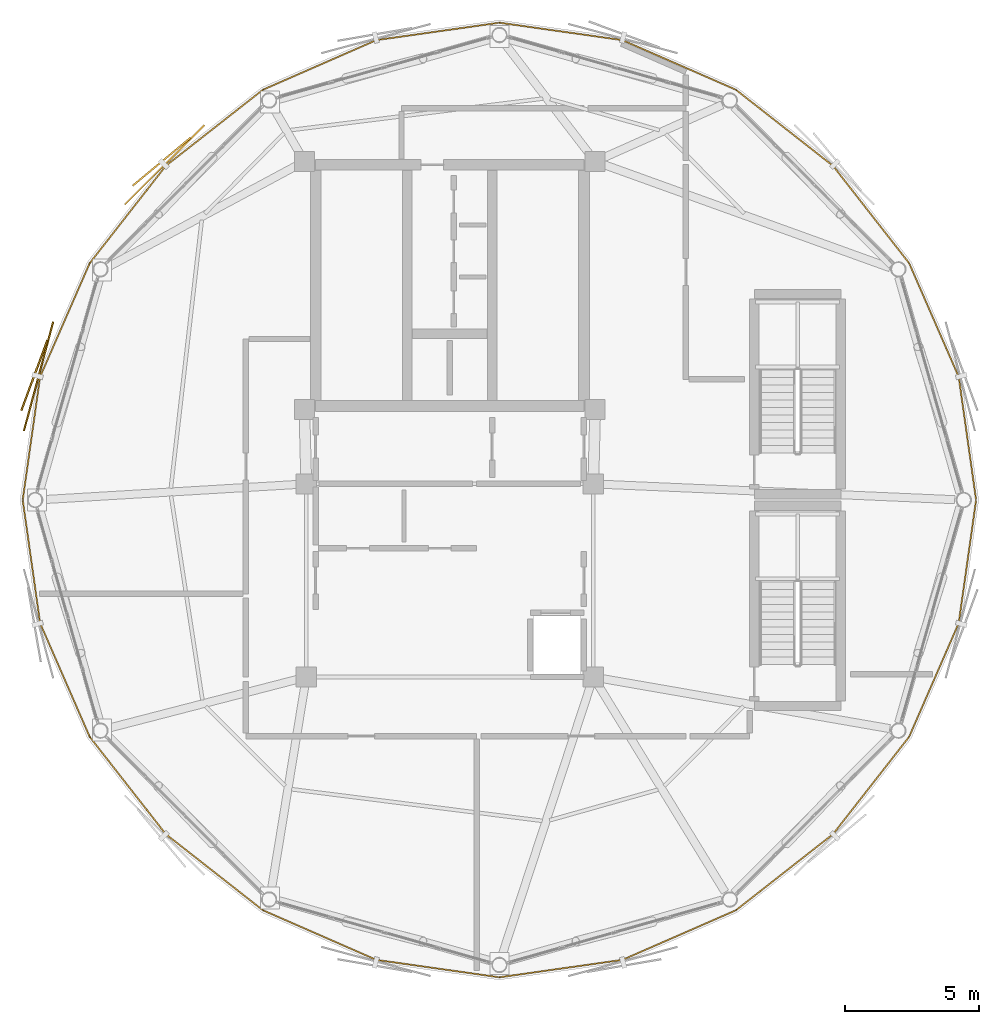
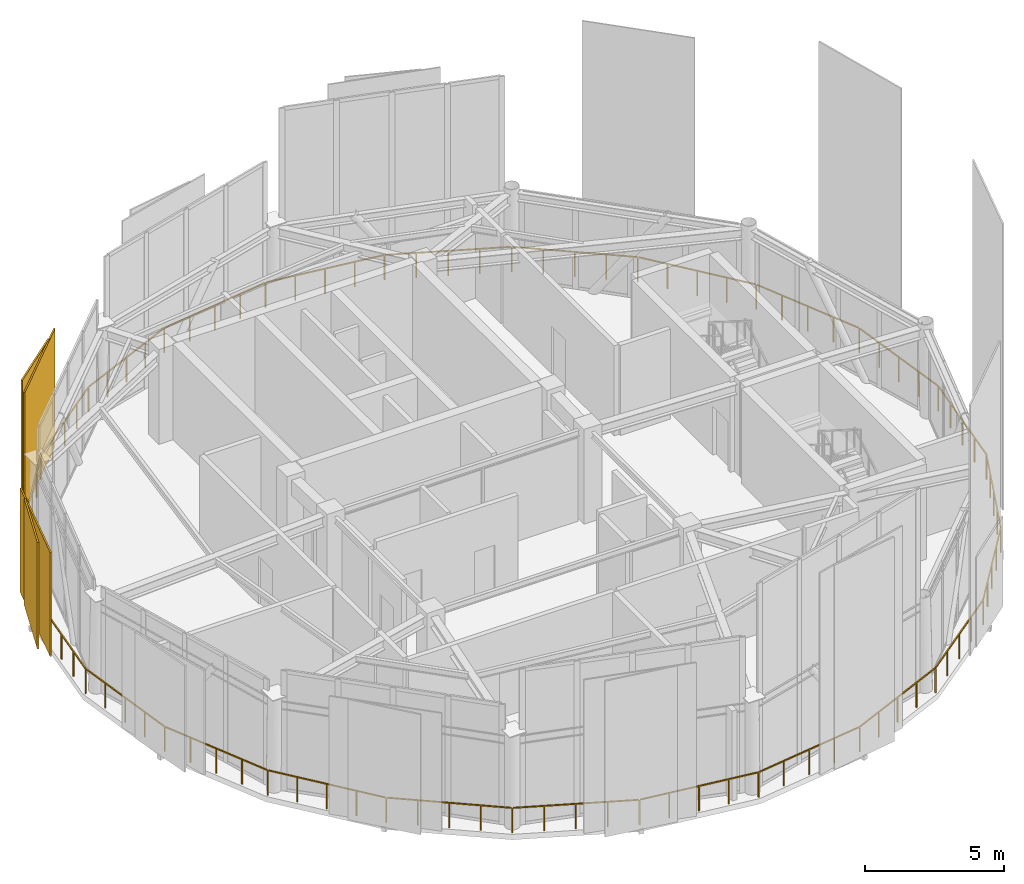
# One storey, part 19 of 20: 2 coverings, 2 shading devices, 1 railing.
"""IFC4 building model written with IfcOpenShell, lengths in metres."""

from ifc_helpers import new_model, si_unit, direction, frame, origin, origin_2d, place, context, subcontext, project, spatial, rectangle, extrude, source, transform, mapped, material, layer, layer_set, type_object, type_shapes, element, save


model = new_model("IFC4")

# Units and contexts
model_context = context("Model", 3, precision=1e-05, world=origin(), true_north=direction((0.0, 1.0)))
body_context = subcontext(model_context, "Body", "Model", "MODEL_VIEW")
ifc_project = project(units=[si_unit("LENGTHUNIT", "METRE"), si_unit("AREAUNIT", "SQUARE_METRE"), si_unit("VOLUMEUNIT", "CUBIC_METRE"), si_unit("PLANEANGLEUNIT", "RADIAN"), si_unit("MASSUNIT", "GRAM", prefix="KILO")], contexts=[model_context])

# Site, building, storey
site_placement = place(None, origin())
site = spatial("IfcSite", under=ifc_project, at=site_placement, CompositionType="ELEMENT")
building_placement = place(site_placement, origin())
building = spatial("IfcBuilding", under=site, at=building_placement, Name="Varnakorn Sky Granary", CompositionType="ELEMENT")
storey_placement = place(building_placement, frame((0.0, 0.0, 310.800048828125)))
storey = spatial("IfcBuildingStorey", under=building, at=storey_placement, Name="L79", CompositionType="ELEMENT", Elevation=310.800048828125)

# Railing
ifc_material = material(Name="Anodised Bronze Aluminium Alloy 6063-T6", Category="aluminium")
railing_type = type_object("IfcRailingType", Name="RL-BAL-1120", PredefinedType="BALUSTRADE", material=ifc_material)
railing_placement = place(storey_placement, frame((22.6201171875, 0.0, 0.0)))
element("IfcRailing", 1, at=railing_placement, inside=storey, type_object=railing_type, Name="Perimeter Slab-Edge Safety Guard L79", PredefinedType="BALUSTRADE", context=body_context, shape_type="SweptSolid", body=[
    extrude(rectangle(XDim=0.048095703125, YDim=0.048095703125, at=origin_2d()), frame((-0.00390625, -0.02783203125, 1.09619140625), z_axis=(-0.139880759348, -0.99016835597, 0.0), x_axis=(0.99016835597, -0.139880759348, 0.0)), (0.0, 0.0, 1.0), 4.581298828125),
    extrude(rectangle(XDim=0.048095703125, YDim=0.048095703125, at=origin_2d()), frame((-0.659912109375, -4.617431640625, 1.09619140625), z_axis=(-0.399923476469, -0.916548532795, 0.0), x_axis=(0.916548532795, -0.399923476469, 0.0)), (0.0, 0.0, 1.0), 4.565185546875),
    extrude(rectangle(XDim=0.048095703125, YDim=0.048095703125, at=origin_2d()), frame((-2.51416015625, -8.849365234375, 1.09619140625), z_axis=(-0.615917776973, -0.787810441673, 0.0), x_axis=(0.787810441673, -0.615917776973, 0.0)), (0.0, 0.0, 1.0), 4.547119140625),
    extrude(rectangle(XDim=0.048095703125, YDim=0.048095703125, at=origin_2d()), frame((-5.35400390625, -12.47119140625, 1.09619140625), z_axis=(-0.787067054118, -0.616867451178, 0.0), x_axis=(0.616867451178, -0.787067054118, 0.0)), (0.0, 0.0, 1.0), 4.545654296875),
    extrude(rectangle(XDim=0.048095703125, YDim=0.048095703125, at=origin_2d()), frame((-8.9794921875, -15.3037109375, 1.09619140625), z_axis=(-0.91620708463, -0.400705101133, 0.0), x_axis=(0.400705101133, -0.91620708463, 0.0)), (0.0, 0.0, 1.0), 4.56103515625),
    extrude(rectangle(XDim=0.048095703125, YDim=0.048095703125, at=origin_2d()), frame((-13.2119140625, -17.146484375, 1.09619140625), z_axis=(-0.990121645652, -0.140211008168, 0.0), x_axis=(0.140211008168, -0.990121645652, 0.0)), (0.0, 0.0, 1.0), 4.57568359375),
    extrude(rectangle(XDim=0.048095703125, YDim=0.048095703125, at=origin_2d()), frame((-17.7978515625, -17.7880859375, 1.09619140625), z_axis=(-0.990122681821, 0.140203690905, 0.0), x_axis=(-0.140203690905, -0.990122681821, 0.0)), (0.0, 0.0, 1.0), 4.575927734375),
    extrude(rectangle(XDim=0.048095703125, YDim=0.048095703125, at=origin_2d()), frame((-22.3818359375, -17.13134765625, 1.09619140625), z_axis=(-0.91620708463, 0.400705101133, 0.0), x_axis=(-0.400705101133, -0.91620708463, 0.0)), (0.0, 0.0, 1.0), 4.56103515625),
    extrude(rectangle(XDim=0.048095703125, YDim=0.048095703125, at=origin_2d()), frame((-26.6083984375, -15.275146484375, 1.09619140625), z_axis=(-0.787067054118, 0.616867451178, 0.0), x_axis=(-0.616867451178, -0.787067054118, 0.0)), (0.0, 0.0, 1.0), 4.545654296875),
    extrude(rectangle(XDim=0.048095703125, YDim=0.048095703125, at=origin_2d()), frame((-30.2255859375, -12.431884765625, 1.09619140625), z_axis=(-0.615884858244, 0.787836176744, 0.0), x_axis=(-0.787836176744, -0.615884858244, 0.0)), (0.0, 0.0, 1.0), 4.547119140625),
    extrude(rectangle(XDim=0.048095703125, YDim=0.048095703125, at=origin_2d()), frame((-33.054443359375, -8.8017578125, 1.09619140625), z_axis=(-0.399967855538, 0.916529167313, 0.0), x_axis=(-0.916529167313, -0.399967855538, 0.0)), (0.0, 0.0, 1.0), 4.5654296875),
    extrude(rectangle(XDim=0.048095703125, YDim=0.048095703125, at=origin_2d()), frame((-34.8955078125, -4.56396484375, 1.09619140625), z_axis=(-0.139829142758, 0.990175646457, 0.0), x_axis=(-0.990175646457, -0.139829142758, 0.0)), (0.0, 0.0, 1.0), 4.581298828125),
    extrude(rectangle(XDim=0.048095703125, YDim=0.048095703125, at=origin_2d()), frame((-35.5361328125, 0.02783203125, 1.09619140625), z_axis=(0.139829142758, 0.990175646457, 0.0), x_axis=(-0.990175646457, 0.139829142758, 0.0)), (0.0, 0.0, 1.0), 4.581298828125),
    extrude(rectangle(XDim=0.048095703125, YDim=0.048095703125, at=origin_2d()), frame((-34.88037109375, 4.617431640625, 1.09619140625), z_axis=(0.399967855538, 0.916529167313, 0.0), x_axis=(-0.916529167313, 0.399967855538, 0.0)), (0.0, 0.0, 1.0), 4.5654296875),
    extrude(rectangle(XDim=0.048095703125, YDim=0.048095703125, at=origin_2d()), frame((-33.02587890625, 8.849365234375, 1.09619140625), z_axis=(0.615884858244, 0.787836176744, 0.0), x_axis=(-0.787836176744, 0.615884858244, 0.0)), (0.0, 0.0, 1.0), 4.547119140625),
    extrude(rectangle(XDim=0.048095703125, YDim=0.048095703125, at=origin_2d()), frame((-30.186279296875, 12.47119140625, 1.09619140625), z_axis=(0.787067054118, 0.616867451178, 0.0), x_axis=(-0.616867451178, 0.787067054118, 0.0)), (0.0, 0.0, 1.0), 4.545654296875),
    extrude(rectangle(XDim=0.048095703125, YDim=0.048095703125, at=origin_2d()), frame((-26.560791015625, 15.3037109375, 1.09619140625), z_axis=(0.91620708463, 0.400705101133, 0.0), x_axis=(-0.400705101133, 0.91620708463, 0.0)), (0.0, 0.0, 1.0), 4.56103515625),
    extrude(rectangle(XDim=0.048095703125, YDim=0.048095703125, at=origin_2d()), frame((-22.328369140625, 17.146484375, 1.09619140625), z_axis=(0.990122681821, 0.140203690905, 0.0), x_axis=(-0.140203690905, 0.990122681821, 0.0)), (0.0, 0.0, 1.0), 4.575927734375),
    extrude(rectangle(XDim=0.048095703125, YDim=0.048095703125, at=origin_2d()), frame((-17.7421875, 17.7880859375, 1.09619140625), z_axis=(0.990121645652, -0.140211008168, 0.0), x_axis=(0.140211008168, 0.990121645652, 0.0)), (0.0, 0.0, 1.0), 4.57568359375),
    extrude(rectangle(XDim=0.048095703125, YDim=0.048095703125, at=origin_2d()), frame((-13.158447265625, 17.13134765625, 1.09619140625), z_axis=(0.91620708463, -0.400705101133, 0.0), x_axis=(0.400705101133, 0.91620708463, 0.0)), (0.0, 0.0, 1.0), 4.56103515625),
    extrude(rectangle(XDim=0.048095703125, YDim=0.048095703125, at=origin_2d()), frame((-8.931884765625, 15.275146484375, 1.09619140625), z_axis=(0.787067054118, -0.616867451178, 0.0), x_axis=(0.616867451178, 0.787067054118, 0.0)), (0.0, 0.0, 1.0), 4.545654296875),
    extrude(rectangle(XDim=0.048095703125, YDim=0.048095703125, at=origin_2d()), frame((-5.314697265625, 12.431884765625, 1.09619140625), z_axis=(0.615917776973, -0.787810441673, 0.0), x_axis=(0.787810441673, 0.615917776973, 0.0)), (0.0, 0.0, 1.0), 4.547119140625),
    extrude(rectangle(XDim=0.048095703125, YDim=0.048095703125, at=origin_2d()), frame((-2.485595703125, 8.8017578125, 1.09619140625), z_axis=(0.399923476469, -0.916548532795, 0.0), x_axis=(0.916548532795, 0.399923476469, 0.0)), (0.0, 0.0, 1.0), 4.565185546875),
    extrude(rectangle(XDim=0.048095703125, YDim=0.048095703125, at=origin_2d()), frame((-0.644775390625, 4.56396484375, 1.09619140625), z_axis=(0.139880759348, -0.99016835597, 0.0), x_axis=(0.99016835597, 0.139880759348, 0.0)), (0.0, 0.0, 1.0), 4.581298828125),
    extrude(rectangle(XDim=0.0419921875, YDim=0.0419921875, at=origin_2d()), origin(), (0.0, 0.0, 1.0), 1.068115234375),
    extrude(rectangle(XDim=0.0419921875, YDim=0.0419921875, at=origin_2d()), frame((-0.162109375, -1.14794921875, 0.0)), (0.0, 0.0, 1.0), 1.068115234375),
    extrude(rectangle(XDim=0.0419921875, YDim=0.0419921875, at=origin_2d()), frame((-0.32421875, -2.2958984375, 0.0)), (0.0, 0.0, 1.0), 1.068115234375),
    extrude(rectangle(XDim=0.0419921875, YDim=0.0419921875, at=origin_2d()), frame((-0.486572265625, -3.44384765625, 0.0)), (0.0, 0.0, 1.0), 1.068115234375),
    extrude(rectangle(XDim=0.0419921875, YDim=0.0419921875, at=origin_2d()), frame((-0.648681640625, -4.591796875, 0.0)), (0.0, 0.0, 1.0), 1.068115234375),
    extrude(rectangle(XDim=0.0419921875, YDim=0.0419921875, at=origin_2d()), frame((-1.11083984375, -5.650634765625, 0.0)), (0.0, 0.0, 1.0), 1.068115234375),
    extrude(rectangle(XDim=0.0419921875, YDim=0.0419921875, at=origin_2d()), frame((-1.57275390625, -6.70947265625, 0.0)), (0.0, 0.0, 1.0), 1.068115234375),
    extrude(rectangle(XDim=0.0419921875, YDim=0.0419921875, at=origin_2d()), frame((-2.03466796875, -7.7685546875, 0.0)), (0.0, 0.0, 1.0), 1.068115234375),
    extrude(rectangle(XDim=0.0419921875, YDim=0.0419921875, at=origin_2d()), frame((-2.496826171875, -8.827392578125, 0.0)), (0.0, 0.0, 1.0), 1.068115234375),
    extrude(rectangle(XDim=0.0419921875, YDim=0.0419921875, at=origin_2d()), frame((-3.20556640625, -9.73388671875, 0.0)), (0.0, 0.0, 1.0), 1.068115234375),
    extrude(rectangle(XDim=0.0419921875, YDim=0.0419921875, at=origin_2d()), frame((-3.91455078125, -10.640625, 0.0)), (0.0, 0.0, 1.0), 1.068115234375),
    extrude(rectangle(XDim=0.0419921875, YDim=0.0419921875, at=origin_2d()), frame((-4.623291015625, -11.54736328125, 0.0)), (0.0, 0.0, 1.0), 1.068115234375),
    extrude(rectangle(XDim=0.0419921875, YDim=0.0419921875, at=origin_2d()), frame((-5.33203125, -12.453857421875, 0.0)), (0.0, 0.0, 1.0), 1.068115234375),
    extrude(rectangle(XDim=0.0419921875, YDim=0.0419921875, at=origin_2d()), frame((-6.237548828125, -13.16357421875, 0.0)), (0.0, 0.0, 1.0), 1.068115234375),
    extrude(rectangle(XDim=0.0419921875, YDim=0.0419921875, at=origin_2d()), frame((-7.14306640625, -13.873046875, 0.0)), (0.0, 0.0, 1.0), 1.068115234375),
    extrude(rectangle(XDim=0.0419921875, YDim=0.0419921875, at=origin_2d()), frame((-8.04833984375, -14.582763671875, 0.0)), (0.0, 0.0, 1.0), 1.068115234375),
    extrude(rectangle(XDim=0.0419921875, YDim=0.0419921875, at=origin_2d()), frame((-8.953857421875, -15.29248046875, 0.0)), (0.0, 0.0, 1.0), 1.068115234375),
    extrude(rectangle(XDim=0.0419921875, YDim=0.0419921875, at=origin_2d()), frame((-10.011474609375, -15.7548828125, 0.0)), (0.0, 0.0, 1.0), 1.068115234375),
    extrude(rectangle(XDim=0.0419921875, YDim=0.0419921875, at=origin_2d()), frame((-11.06884765625, -16.217529296875, 0.0)), (0.0, 0.0, 1.0), 1.068115234375),
    extrude(rectangle(XDim=0.0419921875, YDim=0.0419921875, at=origin_2d()), frame((-12.12646484375, -16.68017578125, 0.0)), (0.0, 0.0, 1.0), 1.068115234375),
    extrude(rectangle(XDim=0.0419921875, YDim=0.0419921875, at=origin_2d()), frame((-13.18408203125, -17.142578125, 0.0)), (0.0, 0.0, 1.0), 1.068115234375),
    extrude(rectangle(XDim=0.0419921875, YDim=0.0419921875, at=origin_2d()), frame((-14.33056640625, -17.304931640625, 0.0)), (0.0, 0.0, 1.0), 1.068115234375),
    extrude(rectangle(XDim=0.0419921875, YDim=0.0419921875, at=origin_2d()), frame((-15.47705078125, -17.46728515625, 0.0)), (0.0, 0.0, 1.0), 1.068115234375),
    extrude(rectangle(XDim=0.0419921875, YDim=0.0419921875, at=origin_2d()), frame((-16.62353515625, -17.629638671875, 0.0)), (0.0, 0.0, 1.0), 1.068115234375),
    extrude(rectangle(XDim=0.0419921875, YDim=0.0419921875, at=origin_2d()), frame((-17.77001953125, -17.7919921875, 0.0)), (0.0, 0.0, 1.0), 1.068115234375),
    extrude(rectangle(XDim=0.0419921875, YDim=0.0419921875, at=origin_2d()), frame((-18.91650390625, -17.629638671875, 0.0)), (0.0, 0.0, 1.0), 1.068115234375),
    extrude(rectangle(XDim=0.0419921875, YDim=0.0419921875, at=origin_2d()), frame((-20.06298828125, -17.46728515625, 0.0)), (0.0, 0.0, 1.0), 1.068115234375),
    extrude(rectangle(XDim=0.0419921875, YDim=0.0419921875, at=origin_2d()), frame((-21.209716796875, -17.304931640625, 0.0)), (0.0, 0.0, 1.0), 1.068115234375),
    extrude(rectangle(XDim=0.0419921875, YDim=0.0419921875, at=origin_2d()), frame((-22.356201171875, -17.142578125, 0.0)), (0.0, 0.0, 1.0), 1.068115234375),
    extrude(rectangle(XDim=0.0419921875, YDim=0.0419921875, at=origin_2d()), frame((-23.413818359375, -16.68017578125, 0.0)), (0.0, 0.0, 1.0), 1.068115234375),
    extrude(rectangle(XDim=0.0419921875, YDim=0.0419921875, at=origin_2d()), frame((-24.47119140625, -16.217529296875, 0.0)), (0.0, 0.0, 1.0), 1.068115234375),
    extrude(rectangle(XDim=0.0419921875, YDim=0.0419921875, at=origin_2d()), frame((-25.52880859375, -15.7548828125, 0.0)), (0.0, 0.0, 1.0), 1.068115234375),
    extrude(rectangle(XDim=0.0419921875, YDim=0.0419921875, at=origin_2d()), frame((-26.58642578125, -15.29248046875, 0.0)), (0.0, 0.0, 1.0), 1.068115234375),
    extrude(rectangle(XDim=0.0419921875, YDim=0.0419921875, at=origin_2d()), frame((-27.491943359375, -14.582763671875, 0.0)), (0.0, 0.0, 1.0), 1.068115234375),
    extrude(rectangle(XDim=0.0419921875, YDim=0.0419921875, at=origin_2d()), frame((-28.3974609375, -13.873046875, 0.0)), (0.0, 0.0, 1.0), 1.068115234375),
    extrude(rectangle(XDim=0.0419921875, YDim=0.0419921875, at=origin_2d()), frame((-29.302734375, -13.16357421875, 0.0)), (0.0, 0.0, 1.0), 1.068115234375),
    extrude(rectangle(XDim=0.0419921875, YDim=0.0419921875, at=origin_2d()), frame((-30.208251953125, -12.453857421875, 0.0)), (0.0, 0.0, 1.0), 1.068115234375),
    extrude(rectangle(XDim=0.0419921875, YDim=0.0419921875, at=origin_2d()), frame((-30.9169921875, -11.54736328125, 0.0)), (0.0, 0.0, 1.0), 1.068115234375),
    extrude(rectangle(XDim=0.0419921875, YDim=0.0419921875, at=origin_2d()), frame((-31.625732421875, -10.640625, 0.0)), (0.0, 0.0, 1.0), 1.068115234375),
    extrude(rectangle(XDim=0.0419921875, YDim=0.0419921875, at=origin_2d()), frame((-32.33447265625, -9.73388671875, 0.0)), (0.0, 0.0, 1.0), 1.068115234375),
    extrude(rectangle(XDim=0.0419921875, YDim=0.0419921875, at=origin_2d()), frame((-33.043212890625, -8.827392578125, 0.0)), (0.0, 0.0, 1.0), 1.068115234375),
    extrude(rectangle(XDim=0.0419921875, YDim=0.0419921875, at=origin_2d()), frame((-33.50537109375, -7.7685546875, 0.0)), (0.0, 0.0, 1.0), 1.068115234375),
    extrude(rectangle(XDim=0.0419921875, YDim=0.0419921875, at=origin_2d()), frame((-33.96728515625, -6.70947265625, 0.0)), (0.0, 0.0, 1.0), 1.068115234375),
    extrude(rectangle(XDim=0.0419921875, YDim=0.0419921875, at=origin_2d()), frame((-34.429443359375, -5.650634765625, 0.0)), (0.0, 0.0, 1.0), 1.068115234375),
    extrude(rectangle(XDim=0.0419921875, YDim=0.0419921875, at=origin_2d()), frame((-34.8916015625, -4.591796875, 0.0)), (0.0, 0.0, 1.0), 1.068115234375),
    extrude(rectangle(XDim=0.0419921875, YDim=0.0419921875, at=origin_2d()), frame((-35.0537109375, -3.44384765625, 0.0)), (0.0, 0.0, 1.0), 1.068115234375),
    extrude(rectangle(XDim=0.0419921875, YDim=0.0419921875, at=origin_2d()), frame((-35.2158203125, -2.2958984375, 0.0)), (0.0, 0.0, 1.0), 1.068115234375),
    extrude(rectangle(XDim=0.0419921875, YDim=0.0419921875, at=origin_2d()), frame((-35.3779296875, -1.14794921875, 0.0)), (0.0, 0.0, 1.0), 1.068115234375),
    extrude(rectangle(XDim=0.0419921875, YDim=0.0419921875, at=origin_2d()), frame((-35.5400390625, 0.0, 0.0)), (0.0, 0.0, 1.0), 1.068115234375),
    extrude(rectangle(XDim=0.0419921875, YDim=0.0419921875, at=origin_2d()), frame((-35.3779296875, 1.14794921875, 0.0)), (0.0, 0.0, 1.0), 1.068115234375),
    extrude(rectangle(XDim=0.0419921875, YDim=0.0419921875, at=origin_2d()), frame((-35.2158203125, 2.2958984375, 0.0)), (0.0, 0.0, 1.0), 1.068115234375),
    extrude(rectangle(XDim=0.0419921875, YDim=0.0419921875, at=origin_2d()), frame((-35.0537109375, 3.44384765625, 0.0)), (0.0, 0.0, 1.0), 1.068115234375),
    extrude(rectangle(XDim=0.0419921875, YDim=0.0419921875, at=origin_2d()), frame((-34.8916015625, 4.591796875, 0.0)), (0.0, 0.0, 1.0), 1.068115234375),
    extrude(rectangle(XDim=0.0419921875, YDim=0.0419921875, at=origin_2d()), frame((-34.429443359375, 5.650634765625, 0.0)), (0.0, 0.0, 1.0), 1.068115234375),
    extrude(rectangle(XDim=0.0419921875, YDim=0.0419921875, at=origin_2d()), frame((-33.96728515625, 6.70947265625, 0.0)), (0.0, 0.0, 1.0), 1.068115234375),
    extrude(rectangle(XDim=0.0419921875, YDim=0.0419921875, at=origin_2d()), frame((-33.50537109375, 7.7685546875, 0.0)), (0.0, 0.0, 1.0), 1.068115234375),
    extrude(rectangle(XDim=0.0419921875, YDim=0.0419921875, at=origin_2d()), frame((-33.043212890625, 8.827392578125, 0.0)), (0.0, 0.0, 1.0), 1.068115234375),
    extrude(rectangle(XDim=0.0419921875, YDim=0.0419921875, at=origin_2d()), frame((-32.33447265625, 9.73388671875, 0.0)), (0.0, 0.0, 1.0), 1.068115234375),
    extrude(rectangle(XDim=0.0419921875, YDim=0.0419921875, at=origin_2d()), frame((-31.625732421875, 10.640625, 0.0)), (0.0, 0.0, 1.0), 1.068115234375),
    extrude(rectangle(XDim=0.0419921875, YDim=0.0419921875, at=origin_2d()), frame((-30.9169921875, 11.54736328125, 0.0)), (0.0, 0.0, 1.0), 1.068115234375),
    extrude(rectangle(XDim=0.0419921875, YDim=0.0419921875, at=origin_2d()), frame((-30.208251953125, 12.453857421875, 0.0)), (0.0, 0.0, 1.0), 1.068115234375),
    extrude(rectangle(XDim=0.0419921875, YDim=0.0419921875, at=origin_2d()), frame((-29.302734375, 13.16357421875, 0.0)), (0.0, 0.0, 1.0), 1.068115234375),
    extrude(rectangle(XDim=0.0419921875, YDim=0.0419921875, at=origin_2d()), frame((-28.3974609375, 13.873046875, 0.0)), (0.0, 0.0, 1.0), 1.068115234375),
    extrude(rectangle(XDim=0.0419921875, YDim=0.0419921875, at=origin_2d()), frame((-27.491943359375, 14.582763671875, 0.0)), (0.0, 0.0, 1.0), 1.068115234375),
    extrude(rectangle(XDim=0.0419921875, YDim=0.0419921875, at=origin_2d()), frame((-26.58642578125, 15.29248046875, 0.0)), (0.0, 0.0, 1.0), 1.068115234375),
    extrude(rectangle(XDim=0.0419921875, YDim=0.0419921875, at=origin_2d()), frame((-25.52880859375, 15.7548828125, 0.0)), (0.0, 0.0, 1.0), 1.068115234375),
    extrude(rectangle(XDim=0.0419921875, YDim=0.0419921875, at=origin_2d()), frame((-24.47119140625, 16.217529296875, 0.0)), (0.0, 0.0, 1.0), 1.068115234375),
    extrude(rectangle(XDim=0.0419921875, YDim=0.0419921875, at=origin_2d()), frame((-23.413818359375, 16.68017578125, 0.0)), (0.0, 0.0, 1.0), 1.068115234375),
    extrude(rectangle(XDim=0.0419921875, YDim=0.0419921875, at=origin_2d()), frame((-22.356201171875, 17.142578125, 0.0)), (0.0, 0.0, 1.0), 1.068115234375),
    extrude(rectangle(XDim=0.0419921875, YDim=0.0419921875, at=origin_2d()), frame((-21.209716796875, 17.304931640625, 0.0)), (0.0, 0.0, 1.0), 1.068115234375),
    extrude(rectangle(XDim=0.0419921875, YDim=0.0419921875, at=origin_2d()), frame((-20.06298828125, 17.46728515625, 0.0)), (0.0, 0.0, 1.0), 1.068115234375),
    extrude(rectangle(XDim=0.0419921875, YDim=0.0419921875, at=origin_2d()), frame((-18.91650390625, 17.629638671875, 0.0)), (0.0, 0.0, 1.0), 1.068115234375),
    extrude(rectangle(XDim=0.0419921875, YDim=0.0419921875, at=origin_2d()), frame((-17.77001953125, 17.7919921875, 0.0)), (0.0, 0.0, 1.0), 1.068115234375),
    extrude(rectangle(XDim=0.0419921875, YDim=0.0419921875, at=origin_2d()), frame((-16.62353515625, 17.629638671875, 0.0)), (0.0, 0.0, 1.0), 1.068115234375),
    extrude(rectangle(XDim=0.0419921875, YDim=0.0419921875, at=origin_2d()), frame((-15.47705078125, 17.46728515625, 0.0)), (0.0, 0.0, 1.0), 1.068115234375),
    extrude(rectangle(XDim=0.0419921875, YDim=0.0419921875, at=origin_2d()), frame((-14.33056640625, 17.304931640625, 0.0)), (0.0, 0.0, 1.0), 1.068115234375),
    extrude(rectangle(XDim=0.0419921875, YDim=0.0419921875, at=origin_2d()), frame((-13.18408203125, 17.142578125, 0.0)), (0.0, 0.0, 1.0), 1.068115234375),
    extrude(rectangle(XDim=0.0419921875, YDim=0.0419921875, at=origin_2d()), frame((-12.12646484375, 16.68017578125, 0.0)), (0.0, 0.0, 1.0), 1.068115234375),
    extrude(rectangle(XDim=0.0419921875, YDim=0.0419921875, at=origin_2d()), frame((-11.06884765625, 16.217529296875, 0.0)), (0.0, 0.0, 1.0), 1.068115234375),
    extrude(rectangle(XDim=0.0419921875, YDim=0.0419921875, at=origin_2d()), frame((-10.011474609375, 15.7548828125, 0.0)), (0.0, 0.0, 1.0), 1.068115234375),
    extrude(rectangle(XDim=0.0419921875, YDim=0.0419921875, at=origin_2d()), frame((-8.953857421875, 15.29248046875, 0.0)), (0.0, 0.0, 1.0), 1.068115234375),
    extrude(rectangle(XDim=0.0419921875, YDim=0.0419921875, at=origin_2d()), frame((-8.04833984375, 14.582763671875, 0.0)), (0.0, 0.0, 1.0), 1.068115234375),
    extrude(rectangle(XDim=0.0419921875, YDim=0.0419921875, at=origin_2d()), frame((-7.14306640625, 13.873046875, 0.0)), (0.0, 0.0, 1.0), 1.068115234375),
    extrude(rectangle(XDim=0.0419921875, YDim=0.0419921875, at=origin_2d()), frame((-6.237548828125, 13.16357421875, 0.0)), (0.0, 0.0, 1.0), 1.068115234375),
    extrude(rectangle(XDim=0.0419921875, YDim=0.0419921875, at=origin_2d()), frame((-5.33203125, 12.453857421875, 0.0)), (0.0, 0.0, 1.0), 1.068115234375),
    extrude(rectangle(XDim=0.0419921875, YDim=0.0419921875, at=origin_2d()), frame((-4.623291015625, 11.54736328125, 0.0)), (0.0, 0.0, 1.0), 1.068115234375),
    extrude(rectangle(XDim=0.0419921875, YDim=0.0419921875, at=origin_2d()), frame((-3.91455078125, 10.640625, 0.0)), (0.0, 0.0, 1.0), 1.068115234375),
    extrude(rectangle(XDim=0.0419921875, YDim=0.0419921875, at=origin_2d()), frame((-3.20556640625, 9.73388671875, 0.0)), (0.0, 0.0, 1.0), 1.068115234375),
    extrude(rectangle(XDim=0.0419921875, YDim=0.0419921875, at=origin_2d()), frame((-2.496826171875, 8.827392578125, 0.0)), (0.0, 0.0, 1.0), 1.068115234375),
    extrude(rectangle(XDim=0.0419921875, YDim=0.0419921875, at=origin_2d()), frame((-2.03466796875, 7.7685546875, 0.0)), (0.0, 0.0, 1.0), 1.068115234375),
    extrude(rectangle(XDim=0.0419921875, YDim=0.0419921875, at=origin_2d()), frame((-1.57275390625, 6.70947265625, 0.0)), (0.0, 0.0, 1.0), 1.068115234375),
    extrude(rectangle(XDim=0.0419921875, YDim=0.0419921875, at=origin_2d()), frame((-1.11083984375, 5.650634765625, 0.0)), (0.0, 0.0, 1.0), 1.068115234375),
    extrude(rectangle(XDim=0.0419921875, YDim=0.0419921875, at=origin_2d()), frame((-0.648681640625, 4.591796875, 0.0)), (0.0, 0.0, 1.0), 1.068115234375),
    extrude(rectangle(XDim=0.0419921875, YDim=0.0419921875, at=origin_2d()), frame((-0.486572265625, 3.44384765625, 0.0)), (0.0, 0.0, 1.0), 1.068115234375),
    extrude(rectangle(XDim=0.0419921875, YDim=0.0419921875, at=origin_2d()), frame((-0.32421875, 2.2958984375, 0.0)), (0.0, 0.0, 1.0), 1.068115234375),
    extrude(rectangle(XDim=0.0419921875, YDim=0.0419921875, at=origin_2d()), frame((-0.162109375, 1.14794921875, 0.0)), (0.0, 0.0, 1.0), 1.068115234375),
])

# Shading devices
shading_device_type = type_object("IfcShadingDeviceType", Name="SH-SCR-03", PredefinedType="USERDEFINED", material=ifc_material)
shared_shape_1 = source(origin(), body_context, "Body", "SweptSolid", [
    extrude(rectangle(XDim=2.800048828125, YDim=0.06494140625, at=origin_2d()), origin(), (0.0, 0.0, 1.0), 5.2958984375),
])
shading_device_1_placement = place(storey_placement, frame((-7.744140625, 12.60986328125, -0.0400390625), z_axis=(0.0, 0.0, 1.0), x_axis=(-0.769240292064, -0.638959602061, 0.0)))
element("IfcShadingDevice", 2, at=shading_device_1_placement, inside=storey, type_object=shading_device_type, Name="Perforated Bronze Solar Screen Panel SCREEN L79-05", ObjectType="SCREEN", PredefinedType="USERDEFINED", context=body_context, shape_type="MappedRepresentation", body=[
    mapped(shared_shape_1, transform((0.0, 0.0, 0.0), x_axis=(1.0, 0.0, 0.0), y_axis=(0.0, 1.0, 0.0), z_axis=(0.0, 0.0, 1.0), scale=1.0)),
])
shared_shape_2 = source(origin(), body_context, "Body", "SweptSolid", [
    extrude(rectangle(XDim=2.800048828125, YDim=0.06494140625, at=origin_2d()), origin(), (0.0, 0.0, 1.0), 4.688232421875),
])
type_shapes(shading_device_type, [shared_shape_1, shared_shape_2])
shading_device_2_placement = place(storey_placement, frame((-12.484619140625, 4.650390625, -0.0400390625), z_axis=(0.0, 0.0, 1.0), x_axis=(-0.346405954975, -0.938084705321, 0.0)))
element("IfcShadingDevice", 3, at=shading_device_2_placement, inside=storey, type_object=shading_device_type, Name="Perforated Bronze Solar Screen Panel SCREEN L79-06", ObjectType="SCREEN", PredefinedType="USERDEFINED", context=body_context, shape_type="MappedRepresentation", body=[
    mapped(shared_shape_2, transform((0.0, 0.0, 0.0), x_axis=(1.0, 0.0, 0.0), y_axis=(0.0, 1.0, 0.0), z_axis=(0.0, 0.0, 1.0), scale=1.0)),
])

# Coverings
ifc_layer = layer(ifc_material, 0.050048828125, Name="Anodised Bronze Aluminium Alloy 6063-T6")
ifc_layer_set = layer_set([ifc_layer], Name="Anodised Bronze Aluminium Alloy 6063-T6")
covering_type = type_object("IfcCoveringType", Name="CV-CLAD-50", PredefinedType="CLADDING", material=ifc_layer_set)
shared_shape_3 = source(origin(), body_context, "Body", "SweptSolid", [
    extrude(rectangle(XDim=4.199951171875, YDim=0.06005859375, at=origin_2d()), origin(), (0.0, 0.0, 1.0), 5.196044921875),
])
covering_1_placement = place(storey_placement, frame((-7.631103515625, 12.49658203125, 0.0498046875), z_axis=(0.0, 0.0, 1.0), x_axis=(-0.707547435477, -0.706665852118, 0.0)))
element("IfcCovering", 4, at=covering_1_placement, inside=storey, type_object=covering_type, Name="Crown Louvre Cladding Screen L79-05", PredefinedType="CLADDING", context=body_context, shape_type="MappedRepresentation", body=[
    mapped(shared_shape_3, transform((0.0, 0.0, 0.0), x_axis=(1.0, 0.0, 0.0), y_axis=(0.0, 1.0, 0.0), z_axis=(0.0, 0.0, 1.0), scale=1.0)),
])
shared_shape_4 = source(origin(), body_context, "Body", "SweptSolid", [
    extrude(rectangle(XDim=4.199951171875, YDim=0.06005859375, at=origin_2d()), origin(), (0.0, 0.0, 1.0), 4.58837890625),
])
type_shapes(covering_type, [shared_shape_3, shared_shape_4])
covering_2_placement = place(storey_placement, frame((-12.330078125, 4.60888671875, 0.0498046875), z_axis=(0.0, 0.0, 1.0), x_axis=(-0.259116487925, -0.965846077636, 0.0)))
element("IfcCovering", 5, at=covering_2_placement, inside=storey, type_object=covering_type, Name="Crown Louvre Cladding Screen L79-06", PredefinedType="CLADDING", context=body_context, shape_type="MappedRepresentation", body=[
    mapped(shared_shape_4, transform((0.0, 0.0, 0.0), x_axis=(1.0, 0.0, 0.0), y_axis=(0.0, 1.0, 0.0), z_axis=(0.0, 0.0, 1.0), scale=1.0)),
])

save(model, "model.ifc")
